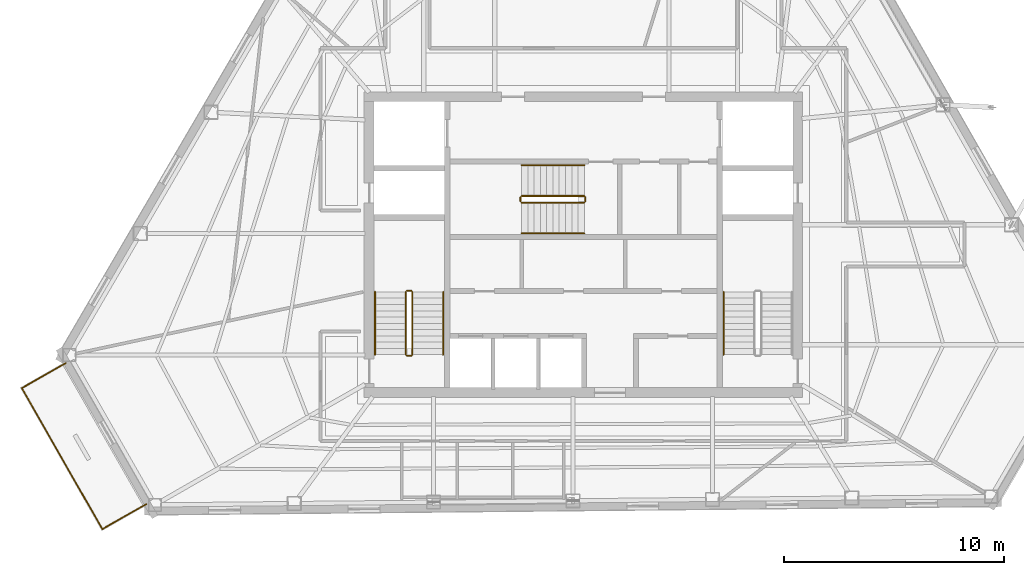
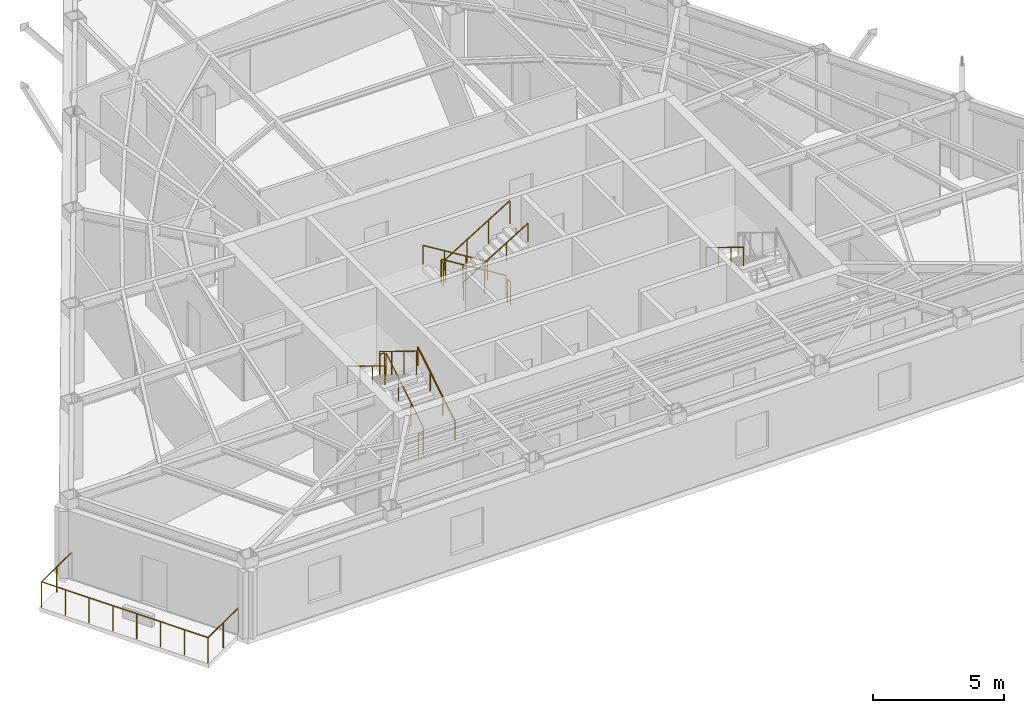
# One storey, part 10 of 11: 16 railings.
"""IFC4 building model written with IfcOpenShell, lengths in metres."""

from ifc_helpers import new_model, si_unit, direction, frame, origin, origin_2d, place, context, subcontext, project, spatial, circle, extrude, material, type_object, element, save


model = new_model("IFC4")

# Units and contexts
model_context = context("Model", 3, precision=1e-05, world=origin(), true_north=direction((0.0, 1.0)))
body_context = subcontext(model_context, "Body", "Model", "MODEL_VIEW")
ifc_project = project(units=[si_unit("LENGTHUNIT", "METRE"), si_unit("AREAUNIT", "SQUARE_METRE"), si_unit("VOLUMEUNIT", "CUBIC_METRE"), si_unit("PLANEANGLEUNIT", "RADIAN"), si_unit("MASSUNIT", "GRAM", prefix="KILO")], contexts=[model_context])

# Site, building, storey
site_placement = place(None, origin())
site = spatial("IfcSite", under=ifc_project, at=site_placement, CompositionType="ELEMENT")
building_placement = place(site_placement, origin())
building = spatial("IfcBuilding", under=site, at=building_placement, Name="Kavelnor Concourse Tower", CompositionType="ELEMENT")
storey_placement = place(building_placement, frame((0.0, 0.0, 218.89990234375)))
storey = spatial("IfcBuildingStorey", under=building, at=storey_placement, Name="L55", CompositionType="ELEMENT", Elevation=218.89990234375)

# Railings
ifc_material_1 = material(Name="Steel Grade 350", Category="steel")
railing_type_1 = type_object("IfcRailingType", Name="RLG-GUARD-1100", PredefinedType="GUARDRAIL", material=ifc_material_1)
railing_1_placement = place(storey_placement, frame((30.22998046875, 11.10009765625, 0.175048828125)))
element("IfcRailing", 1, at=railing_1_placement, inside=storey, type_object=railing_type_1, Name="L55 ST1 stair guard 1", PredefinedType="GUARDRAIL", context=body_context, shape_type="SweptSolid", body=[
    extrude(circle(Radius=0.02392578125, at=origin_2d()), frame((0.0, 0.0, 1.076171875), z_axis=(0.0, 0.852159232446, 0.523282564737), x_axis=(-1.0, 0.0, 0.0)), (0.0, 0.0, 1.0), 3.34423828125),
    extrude(circle(Radius=0.02099609375, at=origin_2d()), origin(), (0.0, 0.0, 1.0), 1.052001953125),
    extrude(circle(Radius=0.02099609375, at=origin_2d()), frame((0.0, 0.949951171875, 0.583251953125)), (0.0, 0.0, 1.0), 1.052001953125),
    extrude(circle(Radius=0.02099609375, at=origin_2d()), frame((0.0, 1.89990234375, 1.166748046875)), (0.0, 0.0, 1.0), 1.052001953125),
    extrude(circle(Radius=0.02099609375, at=origin_2d()), frame((0.0, 2.849853515625, 1.75)), (0.0, 0.0, 1.0), 1.052001953125),
])
railing_2_placement = place(storey_placement, frame((30.179931640625, 14.0, 1.925048828125)))
element("IfcRailing", 2, at=railing_2_placement, inside=storey, type_object=railing_type_1, Name="L55 ST1 stair guard 2", PredefinedType="GUARDRAIL", context=body_context, shape_type="SweptSolid", body=[
    extrude(circle(Radius=0.02392578125, at=origin_2d()), frame((0.0, 0.0, 1.076171875), z_axis=(-1.0, 0.0, 0.0), x_axis=(0.0, -1.0, 0.0)), (0.0, 0.0, 1.0), 0.199951171875),
    extrude(circle(Radius=0.02099609375, at=origin_2d()), origin(), (0.0, 0.0, 1.0), 1.052001953125),
    extrude(circle(Radius=0.02099609375, at=origin_2d()), frame((-0.199951171875, 0.0, 0.0)), (0.0, 0.0, 1.0), 1.052001953125),
])
railing_3_placement = place(storey_placement, frame((29.929931640625, 13.949951171875, 2.10009765625)))
element("IfcRailing", 3, at=railing_3_placement, inside=storey, type_object=railing_type_1, Name="L55 ST1 stair guard 3", PredefinedType="GUARDRAIL", context=body_context, shape_type="SweptSolid", body=[
    extrude(circle(Radius=0.02392578125, at=origin_2d()), frame((0.0, 0.0, 1.076171875), z_axis=(0.0, -0.852159232446, 0.523282564737), x_axis=(1.0, 0.0, 0.0)), (0.0, 0.0, 1.0), 3.34423828125),
    extrude(circle(Radius=0.02099609375, at=origin_2d()), origin(), (0.0, 0.0, 1.0), 1.052001953125),
    extrude(circle(Radius=0.02099609375, at=origin_2d()), frame((0.0, -0.949951171875, 0.583251953125)), (0.0, 0.0, 1.0), 1.052001953125),
    extrude(circle(Radius=0.02099609375, at=origin_2d()), frame((0.0, -1.89990234375, 1.166748046875)), (0.0, 0.0, 1.0), 1.052001953125),
    extrude(circle(Radius=0.02099609375, at=origin_2d()), frame((0.0, -2.849853515625, 1.75)), (0.0, 0.0, 1.0), 1.052001953125),
])
railing_4_placement = place(storey_placement, frame((30.179931640625, 11.050048828125, 0.0)))
element("IfcRailing", 4, at=railing_4_placement, inside=storey, type_object=railing_type_1, Name="L55 ST1 stair guard 4", PredefinedType="GUARDRAIL", context=body_context, shape_type="SweptSolid", body=[
    extrude(circle(Radius=0.02392578125, at=origin_2d()), frame((0.0, 0.0, 1.076171875), z_axis=(-1.0, 0.0, 0.0), x_axis=(0.0, -1.0, 0.0)), (0.0, 0.0, 1.0), 0.199951171875),
    extrude(circle(Radius=0.02099609375, at=origin_2d()), origin(), (0.0, 0.0, 1.0), 1.052001953125),
    extrude(circle(Radius=0.02099609375, at=origin_2d()), frame((-0.199951171875, 0.0, 0.0)), (0.0, 0.0, 1.0), 1.052001953125),
])
railing_5_placement = place(storey_placement, frame((38.0400390625, 18.31005859375, 0.175048828125)))
element("IfcRailing", 5, at=railing_5_placement, inside=storey, type_object=railing_type_1, Name="L55 ST3 stair guard 1", PredefinedType="GUARDRAIL", context=body_context, shape_type="SweptSolid", body=[
    extrude(circle(Radius=0.02392578125, at=origin_2d()), frame((0.0, 0.0, 1.076171875), z_axis=(-0.852179220489, 0.0, 0.52325001306), x_axis=(0.0, -1.0, 0.0)), (0.0, 0.0, 1.0), 3.344482421875),
    extrude(circle(Radius=0.02099609375, at=origin_2d()), origin(), (0.0, 0.0, 1.0), 1.052001953125),
    extrude(circle(Radius=0.02099609375, at=origin_2d()), frame((-0.949951171875, 0.0, 0.583251953125)), (0.0, 0.0, 1.0), 1.052001953125),
    extrude(circle(Radius=0.02099609375, at=origin_2d()), frame((-1.900146484375, 0.0, 1.166748046875)), (0.0, 0.0, 1.0), 1.052001953125),
    extrude(circle(Radius=0.02099609375, at=origin_2d()), frame((-2.85009765625, 0.0, 1.75)), (0.0, 0.0, 1.0), 1.052001953125),
])
railing_6_placement = place(storey_placement, frame((35.139892578125, 18.260009765625, 1.925048828125)))
element("IfcRailing", 6, at=railing_6_placement, inside=storey, type_object=railing_type_1, Name="L55 ST3 stair guard 2", PredefinedType="GUARDRAIL", context=body_context, shape_type="SweptSolid", body=[
    extrude(circle(Radius=0.02392578125, at=origin_2d()), frame((0.0, 0.0, 1.076171875), z_axis=(0.0, -1.0, 0.0), x_axis=(1.0, 0.0, 0.0)), (0.0, 0.0, 1.0), 0.199951171875),
    extrude(circle(Radius=0.02099609375, at=origin_2d()), origin(), (0.0, 0.0, 1.0), 1.052001953125),
    extrude(circle(Radius=0.02099609375, at=origin_2d()), frame((0.0, -0.199951171875, 0.0)), (0.0, 0.0, 1.0), 1.052001953125),
])
railing_7_placement = place(storey_placement, frame((35.18994140625, 18.010009765625, 2.10009765625)))
element("IfcRailing", 7, at=railing_7_placement, inside=storey, type_object=railing_type_1, Name="L55 ST3 stair guard 3", PredefinedType="GUARDRAIL", context=body_context, shape_type="SweptSolid", body=[
    extrude(circle(Radius=0.02392578125, at=origin_2d()), frame((0.0, 0.0, 1.076171875), z_axis=(0.852179220489, 0.0, 0.52325001306), x_axis=(0.0, 1.0, 0.0)), (0.0, 0.0, 1.0), 3.344482421875),
    extrude(circle(Radius=0.02099609375, at=origin_2d()), origin(), (0.0, 0.0, 1.0), 1.052001953125),
    extrude(circle(Radius=0.02099609375, at=origin_2d()), frame((0.949951171875, 0.0, 0.583251953125)), (0.0, 0.0, 1.0), 1.052001953125),
    extrude(circle(Radius=0.02099609375, at=origin_2d()), frame((1.900146484375, 0.0, 1.166748046875)), (0.0, 0.0, 1.0), 1.052001953125),
    extrude(circle(Radius=0.02099609375, at=origin_2d()), frame((2.85009765625, 0.0, 1.75)), (0.0, 0.0, 1.0), 1.052001953125),
])
railing_8_placement = place(storey_placement, frame((38.090087890625, 18.260009765625, 0.0)))
element("IfcRailing", 8, at=railing_8_placement, inside=storey, type_object=railing_type_1, Name="L55 ST3 stair guard 4", PredefinedType="GUARDRAIL", context=body_context, shape_type="SweptSolid", body=[
    extrude(circle(Radius=0.02392578125, at=origin_2d()), frame((0.0, 0.0, 1.076171875), z_axis=(0.0, -1.0, 0.0), x_axis=(1.0, 0.0, 0.0)), (0.0, 0.0, 1.0), 0.199951171875),
    extrude(circle(Radius=0.02099609375, at=origin_2d()), origin(), (0.0, 0.0, 1.0), 1.052001953125),
    extrude(circle(Radius=0.02099609375, at=origin_2d()), frame((0.0, -0.199951171875, 0.0)), (0.0, 0.0, 1.0), 1.052001953125),
])
railing_type_2 = type_object("IfcRailingType", Name="RLG-HANDRAIL-900", PredefinedType="HANDRAIL", material=ifc_material_1)
railing_9_placement = place(storey_placement, frame((31.6298828125, 11.10009765625, 0.175048828125)))
element("IfcRailing", 9, at=railing_9_placement, inside=storey, type_object=railing_type_2, Name="L55 ST1 stair handrail 1", PredefinedType="HANDRAIL", context=body_context, shape_type="SweptSolid", body=[
    extrude(circle(Radius=0.02392578125, at=origin_2d()), frame((0.0, 0.0, 0.8759765625), z_axis=(0.0, 0.852159232446, 0.523282564737), x_axis=(-1.0, 0.0, 0.0)), (0.0, 0.0, 1.0), 3.34423828125),
    extrude(circle(Radius=0.02099609375, at=origin_2d()), origin(), (0.0, 0.0, 1.0), 0.851806640625),
    extrude(circle(Radius=0.02099609375, at=origin_2d()), frame((0.0, 0.949951171875, 0.583251953125)), (0.0, 0.0, 1.0), 0.851806640625),
    extrude(circle(Radius=0.02099609375, at=origin_2d()), frame((0.0, 1.89990234375, 1.166748046875)), (0.0, 0.0, 1.0), 0.851806640625),
    extrude(circle(Radius=0.02099609375, at=origin_2d()), frame((0.0, 2.849853515625, 1.75)), (0.0, 0.0, 1.0), 0.851806640625),
])
for number, where, name in (
    (10, (28.530029296875, 13.949951171875, 2.10009765625), "L55 ST1 stair handrail 2"),
    (11, (44.3701171875, 13.949951171875, 2.10009765625), "L55 ST2 stair handrail 2"),
):
    element("IfcRailing", number, at=place(storey_placement, frame(where)), inside=storey, type_object=railing_type_2, Name=name, PredefinedType="HANDRAIL", context=body_context, shape_type="SweptSolid", body=[
        extrude(circle(Radius=0.02392578125, at=origin_2d()), frame((0.0, 0.0, 0.8759765625), z_axis=(0.0, -0.852159232446, 0.523282564737), x_axis=(1.0, 0.0, 0.0)), (0.0, 0.0, 1.0), 3.34423828125),
        extrude(circle(Radius=0.02099609375, at=origin_2d()), origin(), (0.0, 0.0, 1.0), 0.851806640625),
        extrude(circle(Radius=0.02099609375, at=origin_2d()), frame((0.0, -0.949951171875, 0.583251953125)), (0.0, 0.0, 1.0), 0.851806640625),
        extrude(circle(Radius=0.02099609375, at=origin_2d()), frame((0.0, -1.89990234375, 1.166748046875)), (0.0, 0.0, 1.0), 0.851806640625),
        extrude(circle(Radius=0.02099609375, at=origin_2d()), frame((0.0, -2.849853515625, 1.75)), (0.0, 0.0, 1.0), 0.851806640625),
    ])
railing_10_placement = place(storey_placement, frame((38.0400390625, 19.7099609375, 0.175048828125)))
element("IfcRailing", 12, at=railing_10_placement, inside=storey, type_object=railing_type_2, Name="L55 ST3 stair handrail 1", PredefinedType="HANDRAIL", context=body_context, shape_type="SweptSolid", body=[
    extrude(circle(Radius=0.02392578125, at=origin_2d()), frame((0.0, 0.0, 0.8759765625), z_axis=(-0.852179220489, 0.0, 0.52325001306), x_axis=(0.0, -1.0, 0.0)), (0.0, 0.0, 1.0), 3.344482421875),
    extrude(circle(Radius=0.02099609375, at=origin_2d()), origin(), (0.0, 0.0, 1.0), 0.851806640625),
    extrude(circle(Radius=0.02099609375, at=origin_2d()), frame((-0.949951171875, 0.0, 0.583251953125)), (0.0, 0.0, 1.0), 0.851806640625),
    extrude(circle(Radius=0.02099609375, at=origin_2d()), frame((-1.900146484375, 0.0, 1.166748046875)), (0.0, 0.0, 1.0), 0.851806640625),
    extrude(circle(Radius=0.02099609375, at=origin_2d()), frame((-2.85009765625, 0.0, 1.75)), (0.0, 0.0, 1.0), 0.851806640625),
])
railing_11_placement = place(storey_placement, frame((35.18994140625, 16.610107421875, 2.10009765625)))
element("IfcRailing", 13, at=railing_11_placement, inside=storey, type_object=railing_type_2, Name="L55 ST3 stair handrail 2", PredefinedType="HANDRAIL", context=body_context, shape_type="SweptSolid", body=[
    extrude(circle(Radius=0.02392578125, at=origin_2d()), frame((0.0, 0.0, 0.8759765625), z_axis=(0.852179220489, 0.0, 0.52325001306), x_axis=(0.0, 1.0, 0.0)), (0.0, 0.0, 1.0), 3.344482421875),
    extrude(circle(Radius=0.02099609375, at=origin_2d()), origin(), (0.0, 0.0, 1.0), 0.851806640625),
    extrude(circle(Radius=0.02099609375, at=origin_2d()), frame((0.949951171875, 0.0, 0.583251953125)), (0.0, 0.0, 1.0), 0.851806640625),
    extrude(circle(Radius=0.02099609375, at=origin_2d()), frame((1.900146484375, 0.0, 1.166748046875)), (0.0, 0.0, 1.0), 0.851806640625),
    extrude(circle(Radius=0.02099609375, at=origin_2d()), frame((2.85009765625, 0.0, 1.75)), (0.0, 0.0, 1.0), 0.851806640625),
])
ifc_material_2 = material(Name="Architectural bronze-anodised aluminium", Category="aluminium")
railing_type_3 = type_object("IfcRailingType", Name="RLG-TERRACE-1200", PredefinedType="BALUSTRADE", material=ifc_material_2)
railing_12_placement = place(storey_placement, frame((14.48193359375, 10.72216796875, 0.0)))
element("IfcRailing", 14, at=railing_12_placement, inside=storey, type_object=railing_type_3, Name="L55 Spiral Terrace Guardrail L", PredefinedType="BALUSTRADE", context=body_context, shape_type="SweptSolid", body=[
    extrude(circle(Radius=0.02392578125, at=origin_2d()), frame((0.0, 0.0, 1.17578125), z_axis=(-0.868491253139, -0.495704491831, 0.0), x_axis=(0.495704491831, -0.868491253139, 0.0)), (0.0, 0.0, 1.0), 2.300048828125),
    extrude(circle(Radius=0.02099609375, at=origin_2d()), origin(), (0.0, 0.0, 1.0), 1.15185546875),
    extrude(circle(Radius=0.02099609375, at=origin_2d()), frame((-0.998779296875, -0.570068359375, 0.0)), (0.0, 0.0, 1.0), 1.15185546875),
    extrude(circle(Radius=0.02099609375, at=origin_2d()), frame((-1.99755859375, -1.14013671875, 0.0)), (0.0, 0.0, 1.0), 1.15185546875),
])
railing_13_placement = place(storey_placement, frame((12.484375, 9.58203125, 0.0)))
element("IfcRailing", 15, at=railing_13_placement, inside=storey, type_object=railing_type_3, Name="L55 Spiral Terrace Guardrail F", PredefinedType="BALUSTRADE", context=body_context, shape_type="SweptSolid", body=[
    extrude(circle(Radius=0.02392578125, at=origin_2d()), frame((0.0, 0.0, 1.17578125), z_axis=(0.495686273109, -0.868501651496, 0.0), x_axis=(0.868501651496, 0.495686273109, 0.0)), (0.0, 0.0, 1.0), 7.377685546875),
    extrude(circle(Radius=0.02099609375, at=origin_2d()), origin(), (0.0, 0.0, 1.0), 1.15185546875),
    extrude(circle(Radius=0.02099609375, at=origin_2d()), frame((0.5224609375, -0.915283203125, 0.0)), (0.0, 0.0, 1.0), 1.15185546875),
    extrude(circle(Radius=0.02099609375, at=origin_2d()), frame((1.044921875, -1.830810546875, 0.0)), (0.0, 0.0, 1.0), 1.15185546875),
    extrude(circle(Radius=0.02099609375, at=origin_2d()), frame((1.5673828125, -2.74609375, 0.0)), (0.0, 0.0, 1.0), 1.15185546875),
    extrude(circle(Radius=0.02099609375, at=origin_2d()), frame((2.089599609375, -3.661376953125, 0.0)), (0.0, 0.0, 1.0), 1.15185546875),
    extrude(circle(Radius=0.02099609375, at=origin_2d()), frame((2.612060546875, -4.57666015625, 0.0)), (0.0, 0.0, 1.0), 1.15185546875),
    extrude(circle(Radius=0.02099609375, at=origin_2d()), frame((3.134521484375, -5.4921875, 0.0)), (0.0, 0.0, 1.0), 1.15185546875),
    extrude(circle(Radius=0.02099609375, at=origin_2d()), frame((3.656982421875, -6.407470703125, 0.0)), (0.0, 0.0, 1.0), 1.15185546875),
])
railing_14_placement = place(storey_placement, frame((16.141357421875, 3.174560546875, 0.0)))
element("IfcRailing", 16, at=railing_14_placement, inside=storey, type_object=railing_type_3, Name="L55 Spiral Terrace Guardrail R", PredefinedType="BALUSTRADE", context=body_context, shape_type="SweptSolid", body=[
    extrude(circle(Radius=0.02392578125, at=origin_2d()), frame((0.0, 0.0, 1.17578125), z_axis=(0.868536949546, 0.495624421587, 0.0), x_axis=(-0.495624421587, 0.868536949546, 0.0)), (0.0, 0.0, 1.0), 2.2998046875),
    extrude(circle(Radius=0.02099609375, at=origin_2d()), origin(), (0.0, 0.0, 1.0), 1.15185546875),
    extrude(circle(Radius=0.02099609375, at=origin_2d()), frame((0.998779296875, 0.56982421875, 0.0)), (0.0, 0.0, 1.0), 1.15185546875),
    extrude(circle(Radius=0.02099609375, at=origin_2d()), frame((1.99755859375, 1.139892578125, 0.0)), (0.0, 0.0, 1.0), 1.15185546875),
])

save(model, "model.ifc")
